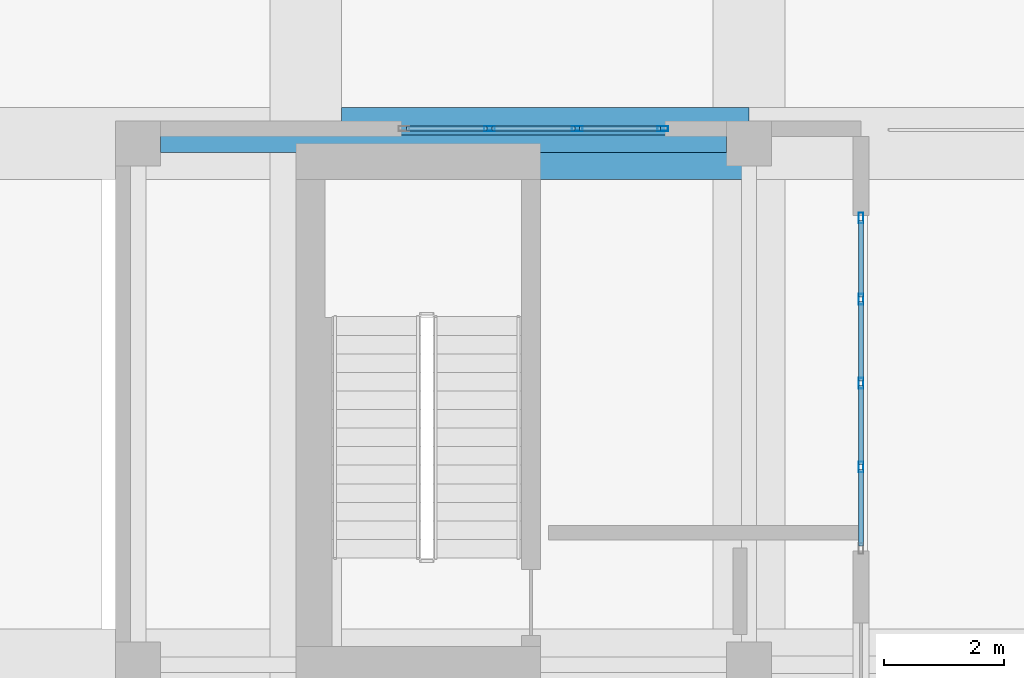
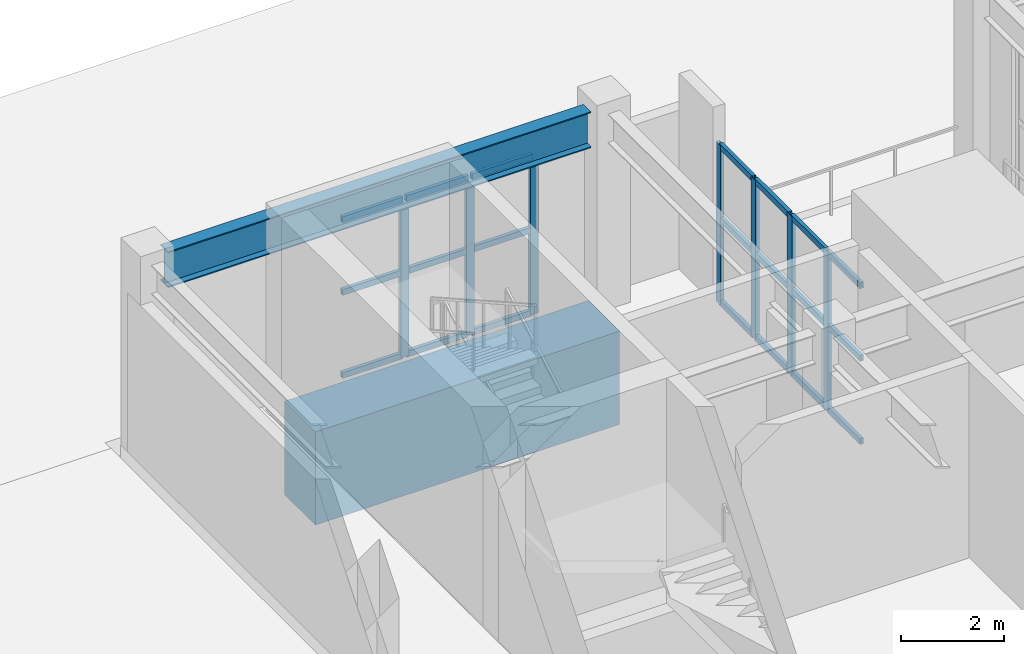
# One storey, part 9 of 16: 28 members, 2 beams, 2 elements without a shape of their own.
"""IFC4 building model written with IfcOpenShell, lengths in metres."""

from ifc_helpers import new_model, si_unit, direction, frame, origin, origin_2d, place, context, subcontext, project, spatial, rectangle, hollow_rectangle, i_section, extrude, material, layer, layer_set, material_profile, profile_set, type_object, element, aggregate, save


model = new_model("IFC4")

# Units and contexts
model_context = context("Model", 3, precision=1e-05, world=origin(), true_north=direction((0.0, 1.0)))
body_context = subcontext(model_context, "Body", "Model", "MODEL_VIEW")
ifc_project = project(units=[si_unit("LENGTHUNIT", "METRE"), si_unit("AREAUNIT", "SQUARE_METRE"), si_unit("VOLUMEUNIT", "CUBIC_METRE"), si_unit("PLANEANGLEUNIT", "RADIAN"), si_unit("MASSUNIT", "GRAM", prefix="KILO")], contexts=[model_context])

# Site, building, storey
site_placement = place(None, origin())
site = spatial("IfcSite", under=ifc_project, at=site_placement, CompositionType="ELEMENT")
building_placement = place(site_placement, origin())
building = spatial("IfcBuilding", under=site, at=building_placement, Name="Solanera Arch Residences", CompositionType="ELEMENT")
storey_placement = place(building_placement, frame((0.0, 0.0, 278.080078125)))
storey = spatial("IfcBuildingStorey", under=building, at=storey_placement, Name="L80", CompositionType="ELEMENT", Elevation=278.080078125)

# Curtain wall, members
ifc_material_1 = material(Name="Anodised Aluminium Alloy 6063-T6", Category="aluminium")
ifc_layer_1 = layer(ifc_material_1, 0.199951171875)
ifc_layer_set_1 = layer_set([ifc_layer_1], Name="Anodised Aluminium Alloy 6063-T6")
curtain_wall_type_1 = type_object("IfcCurtainWallType", Name="CW-5 Observatory High-Wind Curtain Wall", PredefinedType="USERDEFINED", material=ifc_layer_set_1)
curtain_wall_1_placement = place(storey_placement, origin())
curtain_wall_1 = element("IfcCurtainWall", 1, at=curtain_wall_1_placement, inside=storey, type_object=curtain_wall_type_1, Name="L80 Crown North Observatory Curtain Wall", ObjectType="CURTAIN_WALL", PredefinedType="USERDEFINED")
ifc_material_2 = material(Name="Anodised Aluminium Alloy 6063-T6", Category="aluminium")
ifc_material_profile_1 = material_profile(ifc_material_2, hollow_rectangle(XDim=0.080078125, YDim=0.179931640625, WallThickness=0.00390625, at=origin_2d()))
ifc_profile_set_1 = profile_set([ifc_material_profile_1], Name="Anodised Aluminium Alloy 6063-T6")
member_type_1 = type_object("IfcMemberType", Name="Curtain Wall Mullion ALU-MUL-80X180", PredefinedType="MULLION", material=ifc_profile_set_1)
member_1_placement = place(storey_placement, frame((16.466552734375, 39.64990234375, 0.0), z_axis=(0.0, 0.0, 1.0), x_axis=(0.0, 1.0, 0.0)))
member_1 = element("IfcMember", 2, at=member_1_placement, type_object=member_type_1, Name="CW-5 mullion 2", PredefinedType="MULLION", context=body_context, shape_type="SweptSolid", body=[
    extrude(hollow_rectangle(XDim=0.080078125, YDim=0.179931640625, WallThickness=0.00390625, at=origin_2d()), origin(), (0.0, 0.0, 1.0), 3.760009765625),
])
member_2_placement = place(storey_placement, frame((17.933349609375, 39.64990234375, 0.0), z_axis=(0.0, 0.0, 1.0), x_axis=(0.0, 1.0, 0.0)))
member_2 = element("IfcMember", 3, at=member_2_placement, type_object=member_type_1, Name="CW-5 mullion 3", PredefinedType="MULLION", context=body_context, shape_type="SweptSolid", body=[
    extrude(hollow_rectangle(XDim=0.080078125, YDim=0.179931640625, WallThickness=0.00390625, at=origin_2d()), origin(), (0.0, 0.0, 1.0), 3.760009765625),
])
member_3_placement = place(storey_placement, frame((19.360107421875, 39.64990234375, 0.0), z_axis=(0.0, 0.0, 1.0), x_axis=(0.0, 1.0, 0.0)))
member_3 = element("IfcMember", 4, at=member_3_placement, type_object=member_type_1, Name="CW-5 mullion 4", PredefinedType="MULLION", context=body_context, shape_type="SweptSolid", body=[
    extrude(hollow_rectangle(XDim=0.080078125, YDim=0.179931640625, WallThickness=0.00390625, at=origin_2d()), origin(), (0.0, 0.0, 1.0), 3.760009765625),
])

ifc_material_3 = material(Name="Anodised Aluminium Alloy 6063-T6", Category="aluminium")
ifc_layer_2 = layer(ifc_material_3, 0.179931640625)
ifc_layer_set_2 = layer_set([ifc_layer_2], Name="Anodised Aluminium Alloy 6063-T6")
curtain_wall_type_2 = type_object("IfcCurtainWallType", Name="CW-6 Split-Top Crown Lantern Curtain Wall", PredefinedType="USERDEFINED", material=ifc_layer_set_2)
curtain_wall_2_placement = place(storey_placement, origin())
curtain_wall_2 = element("IfcCurtainWall", 5, at=curtain_wall_2_placement, inside=storey, type_object=curtain_wall_type_2, Name="L80 W Crown Cleft Lantern Curtain Wall", ObjectType="CURTAIN_WALL", PredefinedType="USERDEFINED")
member_4_placement = place(storey_placement, frame((22.669921875, 34.0, 0.0), z_axis=(0.0, 0.0, 1.0), x_axis=(-1.0, 0.0, 0.0)))
member_4 = element("IfcMember", 6, at=member_4_placement, type_object=member_type_1, Name="CW-6 mullion 2", PredefinedType="MULLION", context=body_context, shape_type="SweptSolid", body=[
    extrude(hollow_rectangle(XDim=0.080078125, YDim=0.179931640625, WallThickness=0.00390625, at=origin_2d()), origin(), (0.0, 0.0, 1.0), 3.760009765625),
])
member_5_placement = place(storey_placement, frame((22.669921875, 35.39990234375, 0.0), z_axis=(0.0, 0.0, 1.0), x_axis=(-1.0, 0.0, 0.0)))
member_5 = element("IfcMember", 7, at=member_5_placement, type_object=member_type_1, Name="CW-6 mullion 3", PredefinedType="MULLION", context=body_context, shape_type="SweptSolid", body=[
    extrude(hollow_rectangle(XDim=0.080078125, YDim=0.179931640625, WallThickness=0.00390625, at=origin_2d()), origin(), (0.0, 0.0, 1.0), 3.760009765625),
])
member_6_placement = place(storey_placement, frame((22.669921875, 36.800048828125, 0.0), z_axis=(0.0, 0.0, 1.0), x_axis=(-1.0, 0.0, 0.0)))
member_6 = element("IfcMember", 8, at=member_6_placement, type_object=member_type_1, Name="CW-6 mullion 4", PredefinedType="MULLION", context=body_context, shape_type="SweptSolid", body=[
    extrude(hollow_rectangle(XDim=0.080078125, YDim=0.179931640625, WallThickness=0.00390625, at=origin_2d()), origin(), (0.0, 0.0, 1.0), 3.760009765625),
])
member_7_placement = place(storey_placement, frame((22.669921875, 38.159912109375, 0.0), z_axis=(0.0, 0.0, 1.0), x_axis=(-1.0, 0.0, 0.0)))
member_7 = element("IfcMember", 9, at=member_7_placement, type_object=member_type_1, Name="CW-6 mullion 5", PredefinedType="MULLION", context=body_context, shape_type="SweptSolid", body=[
    extrude(hollow_rectangle(XDim=0.080078125, YDim=0.179931640625, WallThickness=0.00390625, at=origin_2d()), origin(), (0.0, 0.0, 1.0), 3.760009765625),
])

# Member
ifc_material_4 = material(Name="Anodised Aluminium Alloy 6063-T6", Category="aluminium")
ifc_material_profile_2 = material_profile(ifc_material_4, hollow_rectangle(XDim=0.080078125, YDim=0.139892578125, WallThickness=0.00390625, at=origin_2d()))
ifc_profile_set_2 = profile_set([ifc_material_profile_2], Name="Anodised Aluminium Alloy 6063-T6")
member_type_2 = type_object("IfcMemberType", Name="Curtain Wall Transom ALU-TRN-80X140", PredefinedType="USERDEFINED", material=ifc_profile_set_2)
member_8_placement = place(storey_placement, frame((15.080078125, 39.64990234375, 0.0400390625), z_axis=(1.0, 0.0, 0.0), x_axis=(0.0, 1.0, 0.0)))
member_8 = element("IfcMember", 10, at=member_8_placement, type_object=member_type_2, Name="CW-5 transom 1.1", ObjectType="TRANSOM", PredefinedType="USERDEFINED", context=body_context, shape_type="SweptSolid", body=[
    extrude(hollow_rectangle(XDim=0.080078125, YDim=0.139892578125, WallThickness=0.00390625, at=origin_2d()), origin(), (0.0, 0.0, 1.0), 1.3466796875),
])

member_9_placement = place(storey_placement, frame((15.080078125, 39.64990234375, 2.0), z_axis=(1.0, 0.0, 0.0), x_axis=(0.0, 1.0, 0.0)))
member_9 = element("IfcMember", 11, at=member_9_placement, type_object=member_type_2, Name="CW-5 transom 1.2", ObjectType="TRANSOM", PredefinedType="USERDEFINED", context=body_context, shape_type="SweptSolid", body=[
    extrude(hollow_rectangle(XDim=0.080078125, YDim=0.139892578125, WallThickness=0.00390625, at=origin_2d()), origin(), (0.0, 0.0, 1.0), 1.3466796875),
])

member_10_placement = place(storey_placement, frame((15.080078125, 39.64990234375, 3.719970703125), z_axis=(1.0, 0.0, 0.0), x_axis=(0.0, 1.0, 0.0)))
member_10 = element("IfcMember", 12, at=member_10_placement, type_object=member_type_2, Name="CW-5 transom 1.3", ObjectType="TRANSOM", PredefinedType="USERDEFINED", context=body_context, shape_type="SweptSolid", body=[
    extrude(hollow_rectangle(XDim=0.080078125, YDim=0.139892578125, WallThickness=0.00390625, at=origin_2d()), origin(), (0.0, 0.0, 1.0), 1.3466796875),
])

member_11_placement = place(storey_placement, frame((16.506591796875, 39.64990234375, 0.0400390625), z_axis=(1.0, 0.0, 0.0), x_axis=(0.0, 1.0, 0.0)))
member_11 = element("IfcMember", 13, at=member_11_placement, type_object=member_type_2, Name="CW-5 transom 2.1", ObjectType="TRANSOM", PredefinedType="USERDEFINED", context=body_context, shape_type="SweptSolid", body=[
    extrude(hollow_rectangle(XDim=0.080078125, YDim=0.139892578125, WallThickness=0.00390625, at=origin_2d()), origin(), (0.0, 0.0, 1.0), 1.38671875),
])

member_12_placement = place(storey_placement, frame((16.506591796875, 39.64990234375, 2.0), z_axis=(1.0, 0.0, 0.0), x_axis=(0.0, 1.0, 0.0)))
member_12 = element("IfcMember", 14, at=member_12_placement, type_object=member_type_2, Name="CW-5 transom 2.2", ObjectType="TRANSOM", PredefinedType="USERDEFINED", context=body_context, shape_type="SweptSolid", body=[
    extrude(hollow_rectangle(XDim=0.080078125, YDim=0.139892578125, WallThickness=0.00390625, at=origin_2d()), origin(), (0.0, 0.0, 1.0), 1.38671875),
])

member_13_placement = place(storey_placement, frame((16.506591796875, 39.64990234375, 3.719970703125), z_axis=(1.0, 0.0, 0.0), x_axis=(0.0, 1.0, 0.0)))
member_13 = element("IfcMember", 15, at=member_13_placement, type_object=member_type_2, Name="CW-5 transom 2.3", ObjectType="TRANSOM", PredefinedType="USERDEFINED", context=body_context, shape_type="SweptSolid", body=[
    extrude(hollow_rectangle(XDim=0.080078125, YDim=0.139892578125, WallThickness=0.00390625, at=origin_2d()), origin(), (0.0, 0.0, 1.0), 1.38671875),
])

member_14_placement = place(storey_placement, frame((17.973388671875, 39.64990234375, 0.0400390625), z_axis=(1.0, 0.0, 0.0), x_axis=(0.0, 1.0, 0.0)))
member_14 = element("IfcMember", 16, at=member_14_placement, type_object=member_type_2, Name="CW-5 transom 3.1", ObjectType="TRANSOM", PredefinedType="USERDEFINED", context=body_context, shape_type="SweptSolid", body=[
    extrude(hollow_rectangle(XDim=0.080078125, YDim=0.139892578125, WallThickness=0.00390625, at=origin_2d()), origin(), (0.0, 0.0, 1.0), 1.3466796875),
])

member_15_placement = place(storey_placement, frame((17.973388671875, 39.64990234375, 2.0), z_axis=(1.0, 0.0, 0.0), x_axis=(0.0, 1.0, 0.0)))
member_15 = element("IfcMember", 17, at=member_15_placement, type_object=member_type_2, Name="CW-5 transom 3.2", ObjectType="TRANSOM", PredefinedType="USERDEFINED", context=body_context, shape_type="SweptSolid", body=[
    extrude(hollow_rectangle(XDim=0.080078125, YDim=0.139892578125, WallThickness=0.00390625, at=origin_2d()), origin(), (0.0, 0.0, 1.0), 1.3466796875),
])

member_16_placement = place(storey_placement, frame((17.973388671875, 39.64990234375, 3.719970703125), z_axis=(1.0, 0.0, 0.0), x_axis=(0.0, 1.0, 0.0)))
member_16 = element("IfcMember", 18, at=member_16_placement, type_object=member_type_2, Name="CW-5 transom 3.3", ObjectType="TRANSOM", PredefinedType="USERDEFINED", context=body_context, shape_type="SweptSolid", body=[
    extrude(hollow_rectangle(XDim=0.080078125, YDim=0.139892578125, WallThickness=0.00390625, at=origin_2d()), origin(), (0.0, 0.0, 1.0), 1.3466796875),
])

aggregate(curtain_wall_1, [member_1, member_2, member_3, member_8, member_9, member_10, member_11, member_12, member_13, member_14, member_15, member_16])

member_17_placement = place(storey_placement, frame((22.669921875, 32.679931640625, 0.0400390625), z_axis=(0.0, 1.0, 0.0), x_axis=(-1.0, 0.0, 0.0)))
member_17 = element("IfcMember", 19, at=member_17_placement, type_object=member_type_2, Name="CW-6 transom 1.1", ObjectType="TRANSOM", PredefinedType="USERDEFINED", context=body_context, shape_type="SweptSolid", body=[
    extrude(hollow_rectangle(XDim=0.080078125, YDim=0.139892578125, WallThickness=0.00390625, at=origin_2d()), origin(), (0.0, 0.0, 1.0), 1.280029296875),
])

member_18_placement = place(storey_placement, frame((22.669921875, 32.679931640625, 2.0), z_axis=(0.0, 1.0, 0.0), x_axis=(-1.0, 0.0, 0.0)))
member_18 = element("IfcMember", 20, at=member_18_placement, type_object=member_type_2, Name="CW-6 transom 1.2", ObjectType="TRANSOM", PredefinedType="USERDEFINED", context=body_context, shape_type="SweptSolid", body=[
    extrude(hollow_rectangle(XDim=0.080078125, YDim=0.139892578125, WallThickness=0.00390625, at=origin_2d()), origin(), (0.0, 0.0, 1.0), 1.280029296875),
])

member_19_placement = place(storey_placement, frame((22.669921875, 32.679931640625, 3.719970703125), z_axis=(0.0, 1.0, 0.0), x_axis=(-1.0, 0.0, 0.0)))
member_19 = element("IfcMember", 21, at=member_19_placement, type_object=member_type_2, Name="CW-6 transom 1.3", ObjectType="TRANSOM", PredefinedType="USERDEFINED", context=body_context, shape_type="SweptSolid", body=[
    extrude(hollow_rectangle(XDim=0.080078125, YDim=0.139892578125, WallThickness=0.00390625, at=origin_2d()), origin(), (0.0, 0.0, 1.0), 1.280029296875),
])

member_20_placement = place(storey_placement, frame((22.669921875, 34.0400390625, 0.0400390625), z_axis=(0.0, 1.0, 0.0), x_axis=(-1.0, 0.0, 0.0)))
member_20 = element("IfcMember", 22, at=member_20_placement, type_object=member_type_2, Name="CW-6 transom 2.1", ObjectType="TRANSOM", PredefinedType="USERDEFINED", context=body_context, shape_type="SweptSolid", body=[
    extrude(hollow_rectangle(XDim=0.080078125, YDim=0.139892578125, WallThickness=0.00390625, at=origin_2d()), origin(), (0.0, 0.0, 1.0), 1.320068359375),
])

member_21_placement = place(storey_placement, frame((22.669921875, 34.0400390625, 2.0), z_axis=(0.0, 1.0, 0.0), x_axis=(-1.0, 0.0, 0.0)))
member_21 = element("IfcMember", 23, at=member_21_placement, type_object=member_type_2, Name="CW-6 transom 2.2", ObjectType="TRANSOM", PredefinedType="USERDEFINED", context=body_context, shape_type="SweptSolid", body=[
    extrude(hollow_rectangle(XDim=0.080078125, YDim=0.139892578125, WallThickness=0.00390625, at=origin_2d()), origin(), (0.0, 0.0, 1.0), 1.320068359375),
])

member_22_placement = place(storey_placement, frame((22.669921875, 34.0400390625, 3.719970703125), z_axis=(0.0, 1.0, 0.0), x_axis=(-1.0, 0.0, 0.0)))
member_22 = element("IfcMember", 24, at=member_22_placement, type_object=member_type_2, Name="CW-6 transom 2.3", ObjectType="TRANSOM", PredefinedType="USERDEFINED", context=body_context, shape_type="SweptSolid", body=[
    extrude(hollow_rectangle(XDim=0.080078125, YDim=0.139892578125, WallThickness=0.00390625, at=origin_2d()), origin(), (0.0, 0.0, 1.0), 1.320068359375),
])

member_23_placement = place(storey_placement, frame((22.669921875, 35.43994140625, 0.0400390625), z_axis=(0.0, 1.0, 0.0), x_axis=(-1.0, 0.0, 0.0)))
member_23 = element("IfcMember", 25, at=member_23_placement, type_object=member_type_2, Name="CW-6 transom 3.1", ObjectType="TRANSOM", PredefinedType="USERDEFINED", context=body_context, shape_type="SweptSolid", body=[
    extrude(hollow_rectangle(XDim=0.080078125, YDim=0.139892578125, WallThickness=0.00390625, at=origin_2d()), origin(), (0.0, 0.0, 1.0), 1.320068359375),
])

member_24_placement = place(storey_placement, frame((22.669921875, 35.43994140625, 2.0), z_axis=(0.0, 1.0, 0.0), x_axis=(-1.0, 0.0, 0.0)))
member_24 = element("IfcMember", 26, at=member_24_placement, type_object=member_type_2, Name="CW-6 transom 3.2", ObjectType="TRANSOM", PredefinedType="USERDEFINED", context=body_context, shape_type="SweptSolid", body=[
    extrude(hollow_rectangle(XDim=0.080078125, YDim=0.139892578125, WallThickness=0.00390625, at=origin_2d()), origin(), (0.0, 0.0, 1.0), 1.320068359375),
])

member_25_placement = place(storey_placement, frame((22.669921875, 35.43994140625, 3.719970703125), z_axis=(0.0, 1.0, 0.0), x_axis=(-1.0, 0.0, 0.0)))
member_25 = element("IfcMember", 27, at=member_25_placement, type_object=member_type_2, Name="CW-6 transom 3.3", ObjectType="TRANSOM", PredefinedType="USERDEFINED", context=body_context, shape_type="SweptSolid", body=[
    extrude(hollow_rectangle(XDim=0.080078125, YDim=0.139892578125, WallThickness=0.00390625, at=origin_2d()), origin(), (0.0, 0.0, 1.0), 1.320068359375),
])

member_26_placement = place(storey_placement, frame((22.669921875, 36.840087890625, 0.0400390625), z_axis=(0.0, 1.0, 0.0), x_axis=(-1.0, 0.0, 0.0)))
member_26 = element("IfcMember", 28, at=member_26_placement, type_object=member_type_2, Name="CW-6 transom 4.1", ObjectType="TRANSOM", PredefinedType="USERDEFINED", context=body_context, shape_type="SweptSolid", body=[
    extrude(hollow_rectangle(XDim=0.080078125, YDim=0.139892578125, WallThickness=0.00390625, at=origin_2d()), origin(), (0.0, 0.0, 1.0), 1.280029296875),
])

member_27_placement = place(storey_placement, frame((22.669921875, 36.840087890625, 2.0), z_axis=(0.0, 1.0, 0.0), x_axis=(-1.0, 0.0, 0.0)))
member_27 = element("IfcMember", 29, at=member_27_placement, type_object=member_type_2, Name="CW-6 transom 4.2", ObjectType="TRANSOM", PredefinedType="USERDEFINED", context=body_context, shape_type="SweptSolid", body=[
    extrude(hollow_rectangle(XDim=0.080078125, YDim=0.139892578125, WallThickness=0.00390625, at=origin_2d()), origin(), (0.0, 0.0, 1.0), 1.280029296875),
])

member_28_placement = place(storey_placement, frame((22.669921875, 36.840087890625, 3.719970703125), z_axis=(0.0, 1.0, 0.0), x_axis=(-1.0, 0.0, 0.0)))
member_28 = element("IfcMember", 30, at=member_28_placement, type_object=member_type_2, Name="CW-6 transom 4.3", ObjectType="TRANSOM", PredefinedType="USERDEFINED", context=body_context, shape_type="SweptSolid", body=[
    extrude(hollow_rectangle(XDim=0.080078125, YDim=0.139892578125, WallThickness=0.00390625, at=origin_2d()), origin(), (0.0, 0.0, 1.0), 1.280029296875),
])

aggregate(curtain_wall_2, [member_4, member_5, member_6, member_7, member_17, member_18, member_19, member_20, member_21, member_22, member_23, member_24, member_25, member_26, member_27, member_28])

# Beams
ifc_material_5 = material(Name="Steel S355 (ASTM A992 / A572 Grade 50)", Category="steel")
ifc_material_profile_3 = material_profile(ifc_material_5, i_section(OverallWidth=0.2939453125, OverallDepth=0.85107421875, WebThickness=0.01611328125, FlangeThickness=0.02685546875, at=origin_2d()))
ifc_profile_set_3 = profile_set([ifc_material_profile_3], Name="Steel S355 (ASTM A992 / A572 Grade 50)")
beam_type_1 = type_object("IfcBeamType", Name="Primary Beam W840X226", PredefinedType="BEAM", material=ifc_profile_set_3)
beam_1_placement = place(storey_placement, frame((10.97509765625, 39.39990234375, 4.19384765625), z_axis=(1.0, 0.0, 0.0), x_axis=(0.0, 1.0, 0.0)))
element("IfcBeam", 31, at=beam_1_placement, inside=storey, type_object=beam_type_1, Name="BM-L80-CR-WN", PredefinedType="BEAM", context=body_context, shape_type="SweptSolid", body=[
    extrude(i_section(OverallWidth=0.2939453125, OverallDepth=0.85107421875, WebThickness=0.01611328125, FlangeThickness=0.02685546875, at=origin_2d()), origin(), (0.0, 0.0, 1.0), 9.449951171875),
])
ifc_material_6 = material(Name="Concrete C55/67 (f'c = 60 MPa)", Category="concrete")
ifc_material_profile_4 = material_profile(ifc_material_6, rectangle(XDim=1.199951171875, YDim=2.199951171875, at=origin_2d()))
ifc_profile_set_4 = profile_set([ifc_material_profile_4], Name="Concrete C55/67 (f'c = 60 MPa)")
beam_type_2 = type_object("IfcBeamType", Name="Transfer Girder RC-BM-1200X2200", PredefinedType="BEAM", material=ifc_profile_set_4)
beam_2_placement = place(storey_placement, frame((14.0, 39.39990234375, -1.52001953125), z_axis=(1.0, 0.0, 0.0), x_axis=(0.0, 1.0, 0.0)))
element("IfcBeam", 32, at=beam_2_placement, inside=storey, type_object=beam_type_2, Name="BM-L80-CRX-EWCW-394", PredefinedType="BEAM", context=body_context, shape_type="SweptSolid", body=[
    extrude(rectangle(XDim=1.199951171875, YDim=2.199951171875, at=origin_2d()), origin(), (0.0, 0.0, 1.0), 6.800048828125),
])

save(model, "model.ifc")
